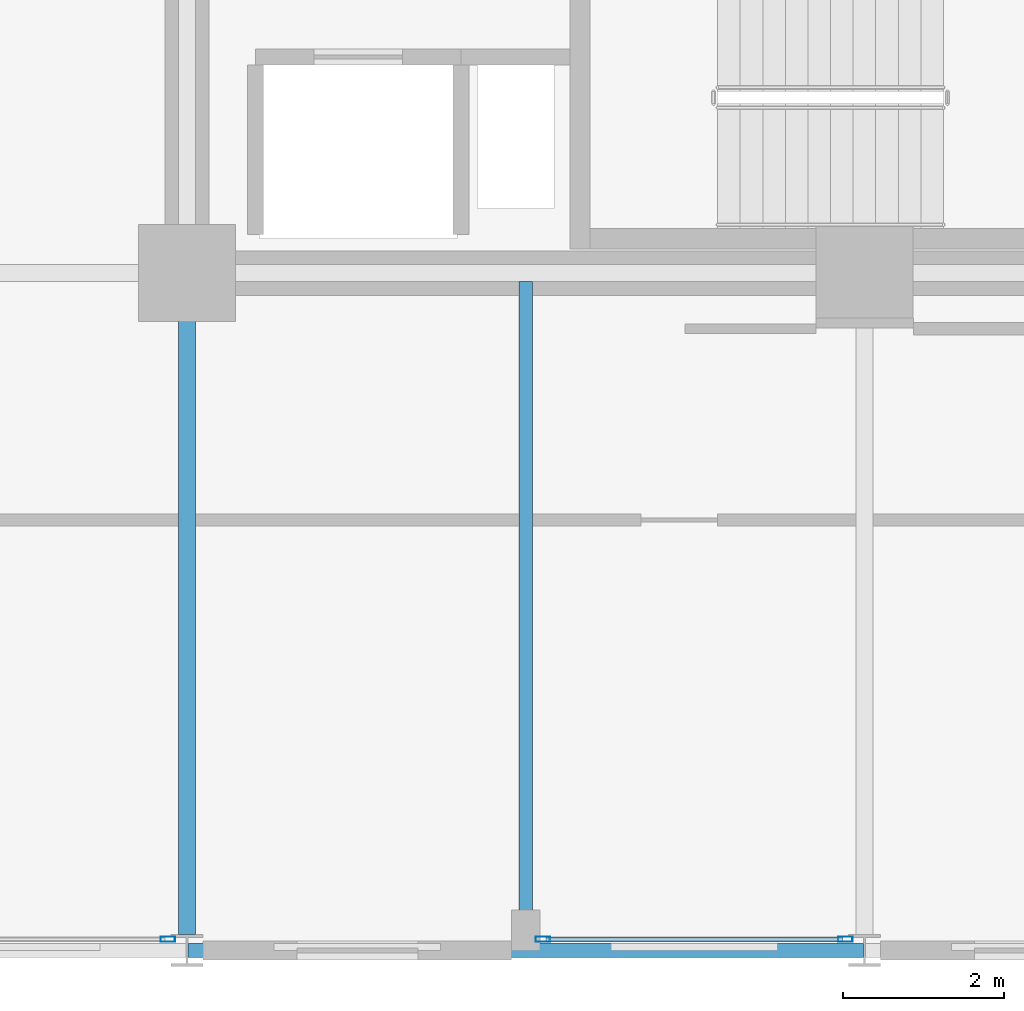
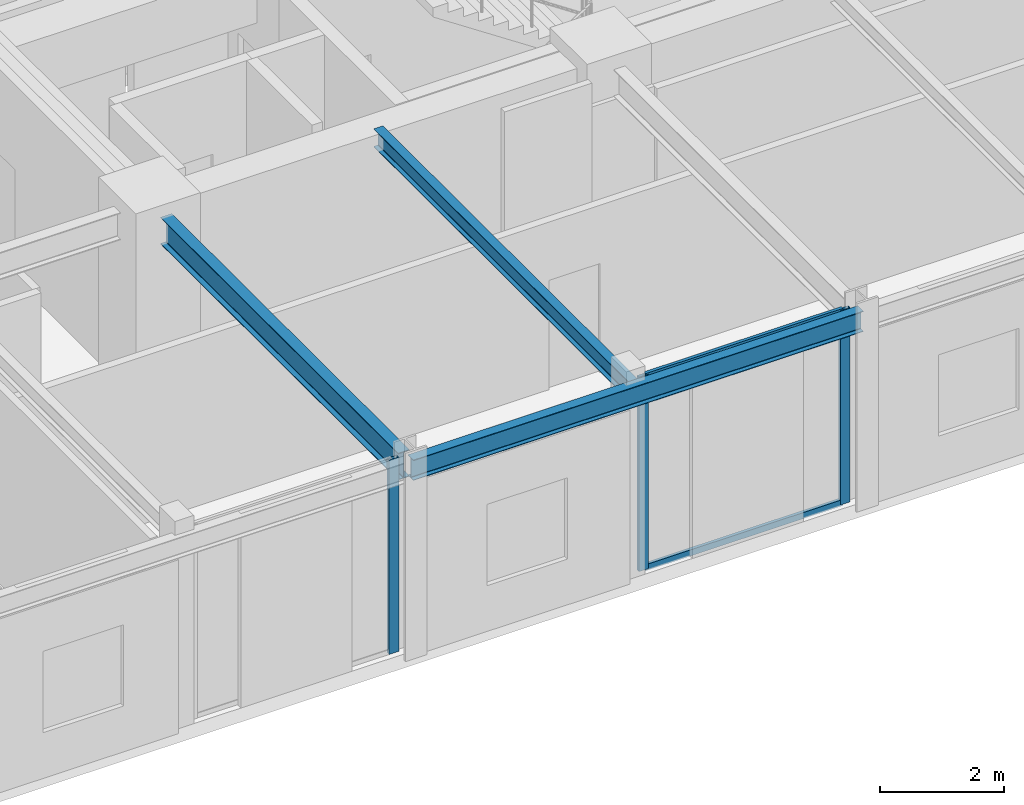
# One storey, part 8 of 38: 5 members, 3 beams, 2 elements without a shape of their own.
"""IFC4 building model written with IfcOpenShell, lengths in metres."""

from ifc_helpers import new_model, si_unit, direction, frame, origin, origin_2d, place, context, subcontext, project, spatial, hollow_rectangle, i_section, extrude, material, layer, layer_set, material_profile, profile_set, type_object, element, aggregate, save


model = new_model("IFC4")

# Units and contexts
model_context = context("Model", 3, precision=1e-05, world=origin(), true_north=direction((0.0, 1.0)))
body_context = subcontext(model_context, "Body", "Model", "MODEL_VIEW")
ifc_project = project(units=[si_unit("LENGTHUNIT", "METRE"), si_unit("AREAUNIT", "SQUARE_METRE"), si_unit("VOLUMEUNIT", "CUBIC_METRE"), si_unit("PLANEANGLEUNIT", "RADIAN"), si_unit("MASSUNIT", "GRAM", prefix="KILO")], contexts=[model_context])

# Site, building, storey
site_placement = place(None, origin())
site = spatial("IfcSite", under=ifc_project, at=site_placement, CompositionType="ELEMENT")
building_placement = place(site_placement, origin())
building = spatial("IfcBuilding", under=site, at=building_placement, Name="Nerrivon Quay Data Exchange", CompositionType="ELEMENT")
storey_placement = place(building_placement, frame((0.0, 0.0, 100.800048828125)))
storey = spatial("IfcBuildingStorey", under=building, at=storey_placement, Name="L23", CompositionType="ELEMENT", Elevation=100.800048828125)

# Beams
ifc_material_1 = material(Name="Steel Grade 350", Category="steel")
ifc_material_profile_1 = material_profile(ifc_material_1, i_section(OverallWidth=0.208984375, OverallDepth=0.528076171875, WebThickness=0.009521484375, FlangeThickness=0.01318359375, FilletRadius=0.013916015625, at=origin_2d()), Name="530UB82.0")
ifc_profile_set_1 = profile_set([ifc_material_profile_1], Name="Steel Grade 350")
beam_type_1 = type_object("IfcBeamType", Name="BM-G4-530UB82", PredefinedType="BEAM", material=ifc_profile_set_1)
beam_1_placement = place(storey_placement, frame((16.800048828125, 0.199951171875, 3.56103515625), z_axis=(0.0, 1.0, 0.0), x_axis=(-1.0, 0.0, 0.0)))
element("IfcBeam", 1, at=beam_1_placement, inside=storey, type_object=beam_type_1, Name="L23 NS Girder X=16.8 (0.0..8.4)", PredefinedType="BEAM", context=body_context, shape_type="SweptSolid", body=[
    extrude(i_section(OverallWidth=0.208984375, OverallDepth=0.528076171875, WebThickness=0.009521484375, FlangeThickness=0.01318359375, FilletRadius=0.013916015625, at=origin_2d()), origin(), (0.0, 0.0, 1.0), 7.66015625),
])
ifc_material_profile_2 = material_profile(ifc_material_1, i_section(OverallWidth=0.1708984375, OverallDepth=0.35595703125, WebThickness=0.00732421875, FlangeThickness=0.011474609375, FilletRadius=0.011474609375, at=origin_2d()), Name="360UB50.7")
ifc_profile_set_2 = profile_set([ifc_material_profile_2], Name="Steel Grade 350")
beam_type_2 = type_object("IfcBeamType", Name="BM-J4-360UB51", PredefinedType="JOIST", material=ifc_profile_set_2)
beam_2_placement = place(storey_placement, frame((21.0, 0.089111328125, 3.64697265625), z_axis=(0.0, 1.0, 0.0), x_axis=(-1.0, 0.0, 0.0)))
element("IfcBeam", 2, at=beam_2_placement, inside=storey, type_object=beam_type_2, Name="L23 Secondary Joist X=21.0 (0.0..8.4)", PredefinedType="JOIST", context=body_context, shape_type="SweptSolid", body=[
    extrude(i_section(OverallWidth=0.1708984375, OverallDepth=0.35595703125, WebThickness=0.00732421875, FlangeThickness=0.011474609375, FilletRadius=0.011474609375, at=origin_2d()), origin(), (0.0, 0.0, 1.0), 8.206298828125),
])
ifc_material_profile_3 = material_profile(ifc_material_1, i_section(OverallWidth=0.177978515625, OverallDepth=0.403076171875, WebThickness=0.007568359375, FlangeThickness=0.010986328125, FilletRadius=0.011474609375, at=origin_2d()), Name="410UB53.7")
ifc_profile_set_3 = profile_set([ifc_material_profile_3], Name="Steel Grade 350")
beam_type_3 = type_object("IfcBeamType", Name="BM-SP2-410UB54", PredefinedType="SPANDREL", material=ifc_profile_set_3)
beam_3_placement = place(storey_placement, frame((16.8125, 0.0, 3.62353515625), z_axis=(1.0, 0.0, 0.0), x_axis=(0.0, 1.0, 0.0)))
element("IfcBeam", 3, at=beam_3_placement, inside=storey, type_object=beam_type_3, Name="L23 EW Girder Y=0.0 (16.8..25.2)", PredefinedType="SPANDREL", context=body_context, shape_type="SweptSolid", body=[
    extrude(i_section(OverallWidth=0.177978515625, OverallDepth=0.403076171875, WebThickness=0.007568359375, FlangeThickness=0.010986328125, FilletRadius=0.011474609375, at=origin_2d()), origin(), (0.0, 0.0, 1.0), 8.375),
])

# Curtain wall, members
ifc_material_2 = material(Name="Anodised aluminium 6063-T6", Category="aluminium")
ifc_layer = layer(ifc_material_2, 0.2099609375)
ifc_layer_set = layer_set([ifc_layer], Name="Anodised aluminium 6063-T6")
curtain_wall_type = type_object("IfcCurtainWallType", Name="CW-SYS-02", PredefinedType="NOTDEFINED", material=ifc_layer_set)
curtain_wall_1_placement = place(storey_placement, origin())
curtain_wall_1 = element("IfcCurtainWall", 4, at=curtain_wall_1_placement, inside=storey, type_object=curtain_wall_type, Name="L23 Unitised Curtain Wall 10", PredefinedType="NOTDEFINED")
ifc_material_profile_4 = material_profile(ifc_material_2, hollow_rectangle(XDim=0.06494140625, YDim=0.179931640625, WallThickness=0.00341796875, at=origin_2d()), Name="ALU-MULL-180x65")
ifc_profile_set_4 = profile_set([ifc_material_profile_4], Name="Anodised aluminium 6063-T6")
member_type_1 = type_object("IfcMemberType", Name="CWM-180x65", PredefinedType="MULLION", material=ifc_profile_set_4)
member_1_placement = place(storey_placement, frame((24.96240234375, 0.139892578125, 0.0), z_axis=(0.0, 0.0, 1.0), x_axis=(0.0, -1.0, 0.0)))
member_1 = element("IfcMember", 5, at=member_1_placement, type_object=member_type_1, Name="CW02 mullion 1", PredefinedType="MULLION", context=body_context, shape_type="SweptSolid", body=[
    extrude(hollow_rectangle(XDim=0.06494140625, YDim=0.179931640625, WallThickness=0.00341796875, at=origin_2d()), origin(), (0.0, 0.0, 1.0), 3.824951171875),
])
member_2_placement = place(storey_placement, frame((21.21240234375, 0.139892578125, 0.0), z_axis=(0.0, 0.0, 1.0), x_axis=(0.0, -1.0, 0.0)))
member_2 = element("IfcMember", 6, at=member_2_placement, type_object=member_type_1, Name="CW02 mullion 2", PredefinedType="MULLION", context=body_context, shape_type="SweptSolid", body=[
    extrude(hollow_rectangle(XDim=0.06494140625, YDim=0.179931640625, WallThickness=0.00341796875, at=origin_2d()), origin(), (0.0, 0.0, 1.0), 3.824951171875),
])

# Curtain wall, member
curtain_wall_2_placement = place(storey_placement, origin())
curtain_wall_2 = element("IfcCurtainWall", 7, at=curtain_wall_2_placement, inside=storey, type_object=curtain_wall_type, Name="L23 Unitised Curtain Wall 12", PredefinedType="NOTDEFINED")
member_3_placement = place(storey_placement, frame((16.5625, 0.139892578125, 0.0), z_axis=(0.0, 0.0, 1.0), x_axis=(0.0, -1.0, 0.0)))
member_3 = element("IfcMember", 8, at=member_3_placement, type_object=member_type_1, Name="CW02 mullion 1", PredefinedType="MULLION", context=body_context, shape_type="SweptSolid", body=[
    extrude(hollow_rectangle(XDim=0.06494140625, YDim=0.179931640625, WallThickness=0.00341796875, at=origin_2d()), origin(), (0.0, 0.0, 1.0), 3.824951171875),
])
aggregate(curtain_wall_2, [member_3])

# Member
ifc_material_profile_5 = material_profile(ifc_material_2, hollow_rectangle(XDim=0.06005859375, YDim=0.1201171875, WallThickness=0.003173828125, at=origin_2d()), Name="ALU-TRAN-120x60")
ifc_profile_set_5 = profile_set([ifc_material_profile_5], Name="Anodised aluminium 6063-T6")
member_type_2 = type_object("IfcMemberType", Name="CWT-120x60", PredefinedType="USERDEFINED", material=ifc_profile_set_5)
member_4_placement = place(storey_placement, frame((24.925048828125, 0.139892578125, 0.032470703125), z_axis=(-1.0, 0.0, 0.0), x_axis=(0.0, -1.0, 0.0)))
member_4 = element("IfcMember", 9, at=member_4_placement, type_object=member_type_2, Name="CW02 transom 1.1", ObjectType="TRANSOM", PredefinedType="USERDEFINED", context=body_context, shape_type="SweptSolid", body=[
    extrude(hollow_rectangle(XDim=0.06005859375, YDim=0.1201171875, WallThickness=0.003173828125, at=origin_2d()), origin(), (0.0, 0.0, 1.0), 3.675048828125),
])

member_5_placement = place(storey_placement, frame((24.925048828125, 0.139892578125, 3.79248046875), z_axis=(-1.0, 0.0, 0.0), x_axis=(0.0, -1.0, 0.0)))
member_5 = element("IfcMember", 10, at=member_5_placement, type_object=member_type_2, Name="CW02 transom 1.2", ObjectType="TRANSOM", PredefinedType="USERDEFINED", context=body_context, shape_type="SweptSolid", body=[
    extrude(hollow_rectangle(XDim=0.06005859375, YDim=0.1201171875, WallThickness=0.003173828125, at=origin_2d()), origin(), (0.0, 0.0, 1.0), 3.675048828125),
])

aggregate(curtain_wall_1, [member_1, member_2, member_4, member_5])

save(model, "model.ifc")
